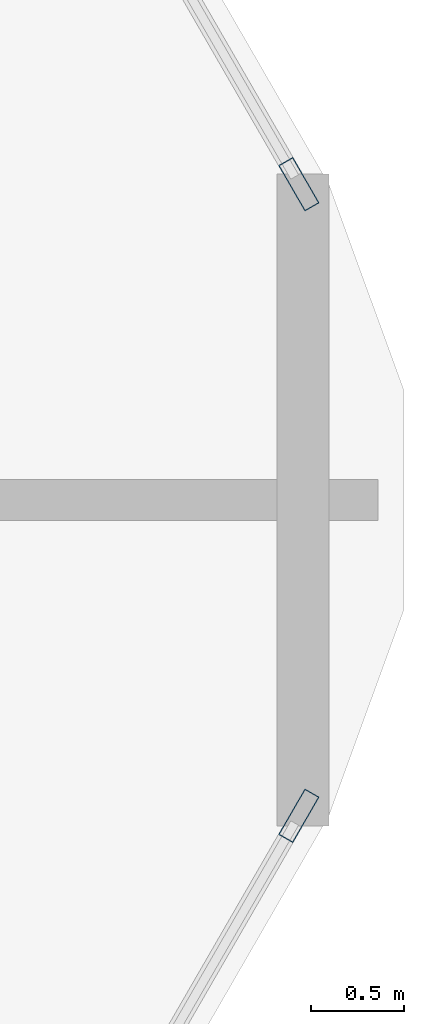
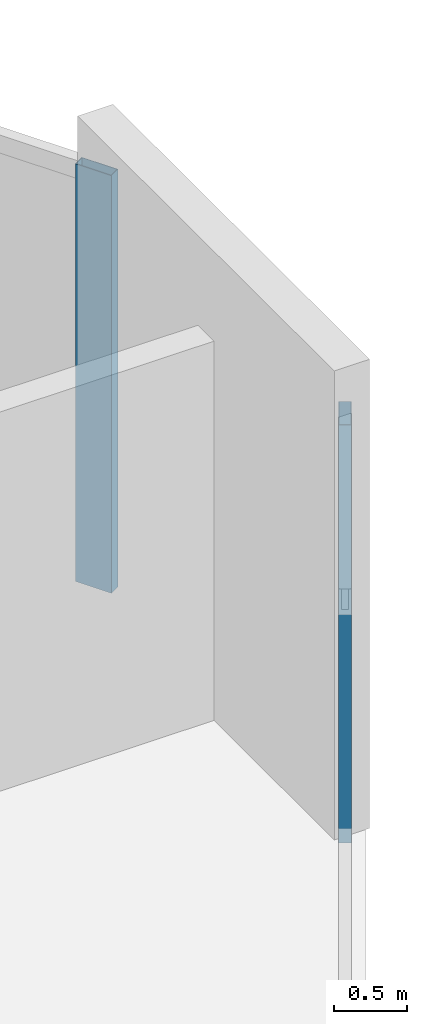
# One storey, part 20 of 25: 2 members, 2 elements without a shape of their own.
"""IFC4 building model written with IfcOpenShell, lengths in metres."""

from ifc_helpers import new_model, si_unit, direction, frame, origin, origin_2d, place, context, subcontext, project, spatial, hollow_rectangle, extrude, material, material_profile, profile_set, type_object, element, aggregate, save


model = new_model("IFC4")

# Units and contexts
model_context = context("Model", 3, precision=1e-05, world=origin(), true_north=direction((0.0, 1.0)))
body_context = subcontext(model_context, "Body", "Model", "MODEL_VIEW")
ifc_project = project(units=[si_unit("LENGTHUNIT", "METRE"), si_unit("AREAUNIT", "SQUARE_METRE"), si_unit("VOLUMEUNIT", "CUBIC_METRE"), si_unit("PLANEANGLEUNIT", "RADIAN"), si_unit("MASSUNIT", "GRAM", prefix="KILO")], contexts=[model_context])

# Site, building, storey
site_placement = place(None, origin())
site = spatial("IfcSite", under=ifc_project, at=site_placement, CompositionType="ELEMENT")
building_placement = place(site_placement, origin())
building = spatial("IfcBuilding", under=site, at=building_placement, Name="Zuhravey Tower", CompositionType="ELEMENT")
storey_placement = place(building_placement, frame((0.0, 0.0, 70.800048828125)))
storey = spatial("IfcBuildingStorey", under=building, at=storey_placement, Name="L17", CompositionType="ELEMENT", Elevation=70.800048828125)

# Curtain wall, member
ifc_material_1 = material(Name="Thermally broken anodised aluminium", Category="aluminium")
curtain_wall_type = type_object("IfcCurtainWallType", Name="School Low-E Unitised Curtain Wall CW1", PredefinedType="NOTDEFINED", material=ifc_material_1)
curtain_wall_1_placement = place(storey_placement, origin())
curtain_wall_1 = element("IfcCurtainWall", 1, at=curtain_wall_1_placement, inside=storey, type_object=curtain_wall_type, Name="L17 CW1 CW-L17-F6-1", PredefinedType="NOTDEFINED")
ifc_material_2 = material(Name="Anodised aluminium", Category="aluminium")
ifc_material_profile = material_profile(ifc_material_2, hollow_rectangle(XDim=0.090087890625, YDim=0.284912109375, WallThickness=0.0048828125, at=origin_2d()), Name="ALU-RHS-90x285x5")
ifc_profile_set = profile_set([ifc_material_profile], Name="Anodised aluminium")
member_type = type_object("IfcMemberType", Name="Curtain-Wall Mullion 90x180", PredefinedType="MULLION", material=ifc_profile_set)
member_1_placement = place(storey_placement, frame((68.4560546875, 30.298583984375, 0.0), z_axis=(0.0, 0.0, 1.0), x_axis=(0.86602552265, -0.499999794119, 0.0)))
member_1 = element("IfcMember", 2, at=member_1_placement, type_object=member_type, Name="CW1 mullion 1", PredefinedType="MULLION", context=body_context, shape_type="SweptSolid", body=[
    extrude(hollow_rectangle(XDim=0.090087890625, YDim=0.284912109375, WallThickness=0.0048828125, at=origin_2d()), origin(), (0.0, 0.0, 1.0), 3.491943359375),
])
aggregate(curtain_wall_1, [member_1])

curtain_wall_2_placement = place(storey_placement, origin())
curtain_wall_2 = element("IfcCurtainWall", 3, at=curtain_wall_2_placement, inside=storey, type_object=curtain_wall_type, Name="L17 CW1 CW-L17-F1-1", PredefinedType="NOTDEFINED")
member_2_placement = place(storey_placement, frame((68.4560546875, 33.701416015625, 0.0), z_axis=(0.0, 0.0, 1.0), x_axis=(0.86602552265, 0.499999794119, 0.0)))
member_2 = element("IfcMember", 4, at=member_2_placement, type_object=member_type, Name="CW1 mullion 4", PredefinedType="MULLION", context=body_context, shape_type="SweptSolid", body=[
    extrude(hollow_rectangle(XDim=0.090087890625, YDim=0.284912109375, WallThickness=0.0048828125, at=origin_2d()), origin(), (0.0, 0.0, 1.0), 3.491943359375),
])
aggregate(curtain_wall_2, [member_2])

save(model, "model.ifc")
